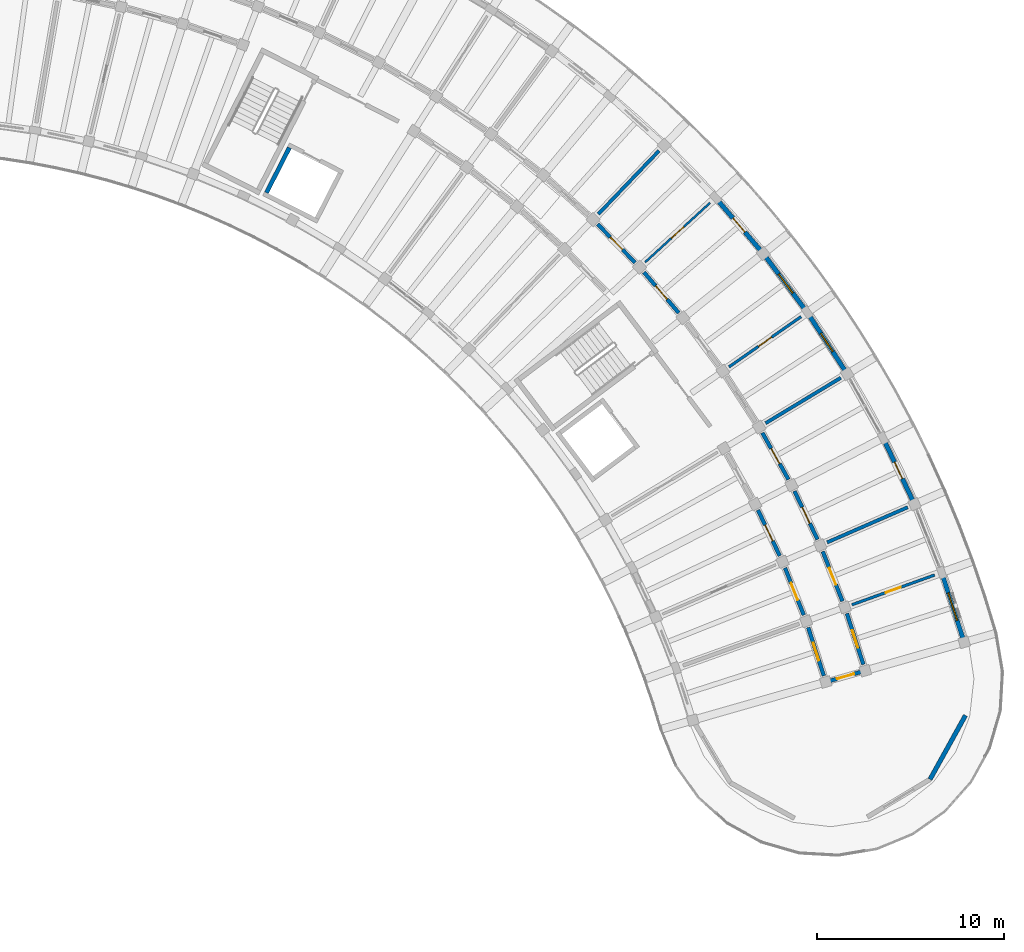
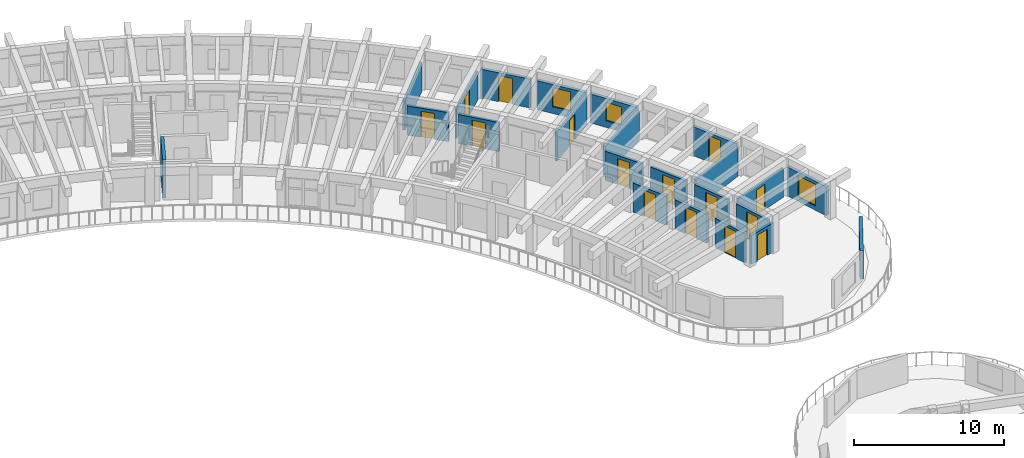
# One storey, part 71 of 96: 23 walls, 15 doors, 3 windows, 18 openings.
"""IFC4 building model written with IfcOpenShell, lengths in metres."""

from ifc_helpers import new_model, si_unit, direction, frame, frame_2d, origin, place, context, subcontext, project, spatial, rectangle, extrude, material, layer, layer_set, type_object, element, fill, save


model = new_model("IFC4")

# Units and contexts
model_context = context("Model", 3, precision=1e-05, world=origin(), true_north=direction((0.0, 1.0)))
body_context = subcontext(model_context, "Body", "Model", "MODEL_VIEW")
ifc_project = project(units=[si_unit("LENGTHUNIT", "METRE"), si_unit("AREAUNIT", "SQUARE_METRE"), si_unit("VOLUMEUNIT", "CUBIC_METRE"), si_unit("PLANEANGLEUNIT", "RADIAN"), si_unit("MASSUNIT", "GRAM", prefix="KILO")], contexts=[model_context])

# Site, building, storey
site_placement = place(None, origin())
site = spatial("IfcSite", under=ifc_project, at=site_placement, CompositionType="ELEMENT")
building_placement = place(site_placement, origin())
building = spatial("IfcBuilding", under=site, at=building_placement, Name="Tanwirah Colonnade Gardens", CompositionType="ELEMENT")
storey_placement = place(building_placement, frame((0.0, 0.0, 12.199951171875)))
storey = spatial("IfcBuildingStorey", under=building, at=storey_placement, Name="L03", CompositionType="ELEMENT", Elevation=12.199951171875)

# Wall, opening, window
ifc_material_1 = material(Name="Limestone architectural precast concrete C40/50", Category="masonry")
ifc_layer_1 = layer(ifc_material_1, 0.239990234375)
ifc_layer_set_1 = layer_set([ifc_layer_1], Name="Limestone architectural precast concrete C40/50")
wall_type_1 = type_object("IfcWallType", Name="EW-PC240", PredefinedType="SOLIDWALL", material=ifc_layer_set_1)
wall_1_placement = place(storey_placement, frame((178.16796875, 76.847412109375, 0.0), z_axis=(0.0, 0.0, 1.0), x_axis=(-0.30720538788, 0.951643236543, 0.0)))
wall_1 = element("IfcWall", 1, at=wall_1_placement, inside=storey, type_object=wall_type_1, Name="Block B L03 OUT Precast Facade Wall 0", PredefinedType="SOLIDWALL", context=body_context, shape_type="SweptSolid", body=[
    extrude(rectangle(XDim=3.5205078125, YDim=0.239990234375, at=frame_2d((1.76025390625, 0.0))), origin(), (0.0, 0.0, 1.0), 2.35498046875),
])
opening_1_placement = place(wall_1_placement, frame((0.9853515625, 0.0, 0.35009765625)))
opening_1 = element("IfcOpeningElement", 2, at=opening_1_placement, cuts=wall_1, Name="Opening WIN-T09", PredefinedType="OPENING", context=body_context, shape_type="SweptSolid", body=[
    extrude(rectangle(XDim=1.550048828125, YDim=1.75, at=frame_2d((0.77490234375, 0.875))), frame((0.0, 0.1298828125, 0.0), z_axis=(0.0, -1.0, 0.0), x_axis=(1.0, 0.0, 0.0)), (0.0, 0.0, 1.0), 0.260009765625),
])
ifc_material_2 = material(Name="Thermally broken bronze aluminium and solar low-E double glazing", Category="aluminium")
window_type_1 = type_object("IfcWindowType", Name="WIN-T09", PartitioningType="DOUBLE_PANEL_VERTICAL", PredefinedType="WINDOW", material=ifc_material_2)
window_1_placement = place(opening_1_placement, origin())
window_1 = element("IfcWindow", 3, at=window_1_placement, inside=storey, type_object=window_type_1, Name="Facade window B-L03-OUT-00", OverallHeight=1.75, OverallWidth=1.550048828125, PartitioningType="SINGLE_PANEL", PredefinedType="WINDOW", context=body_context, shape_type="SweptSolid", body=[
    extrude(rectangle(XDim=1.550048828125, YDim=1.75, at=frame_2d((0.77490234375, 0.875))), frame((0.0, 0.030029296875, 0.0), z_axis=(0.0, -1.0, 0.0), x_axis=(1.0, 0.0, 0.0)), (0.0, 0.0, 1.0), 0.06005859375),
])
fill(opening_1, window_1)

# Wall, opening, door
wall_2_placement = place(storey_placement, frame((175.482666015625, 84.2197265625, 0.0), z_axis=(0.0, 0.0, 1.0), x_axis=(-0.429653621352, 0.902993779413, 0.0)))
wall_2 = element("IfcWall", 4, at=wall_2_placement, inside=storey, type_object=wall_type_1, Name="Block B L03 OUT Precast Facade Wall 2", PredefinedType="SOLIDWALL", context=body_context, shape_type="SweptSolid", body=[
    extrude(rectangle(XDim=3.520751953125, YDim=0.239990234375, at=frame_2d((1.76025390625, 0.0))), origin(), (0.0, 0.0, 1.0), 2.35498046875),
])
opening_2_placement = place(wall_2_placement, frame((1.2705078125, 0.0, 0.0)))
opening_2 = element("IfcOpeningElement", 5, at=opening_2_placement, cuts=wall_2, Name="Opening L03-ED080", PredefinedType="OPENING", context=body_context, shape_type="SweptSolid", body=[
    extrude(rectangle(XDim=0.97998046875, YDim=2.1201171875, at=frame_2d((0.489990234375, 1.06005859375))), frame((0.0, 0.1298828125, 0.0), z_axis=(0.0, -1.0, 0.0), x_axis=(1.0, 0.0, 0.0)), (0.0, 0.0, 1.0), 0.260009765625),
])
ifc_material_3 = material(Name="Bronze aluminium glazed balcony door", Category="aluminium")
door_type_1 = type_object("IfcDoorType", Name="ED-BAL098", OperationType="NOTDEFINED", PredefinedType="DOOR", material=ifc_material_3)
door_1_placement = place(opening_2_placement, origin())
door_1 = element("IfcDoor", 6, at=door_1_placement, inside=storey, type_object=door_type_1, Name="Balcony glazed door L03-ED080", OperationType="SINGLE_SWING_RIGHT", OverallHeight=2.1201171875, OverallWidth=0.97998046875, PredefinedType="DOOR", context=body_context, shape_type="SweptSolid", body=[
    extrude(rectangle(XDim=0.97998046875, YDim=2.1201171875, at=frame_2d((0.489990234375, 1.06005859375))), frame((0.0, 0.02490234375, 0.0), z_axis=(0.0, -1.0, 0.0), x_axis=(1.0, 0.0, 0.0)), (0.0, 0.0, 1.0), 0.050048828125),
])
fill(opening_2, door_1)

# Wall, opening, window
wall_3_placement = place(storey_placement, frame((171.851318359375, 91.1748046875, 0.0), z_axis=(0.0, 0.0, 1.0), x_axis=(-0.544610510414, 0.838689091349, 0.0)))
wall_3 = element("IfcWall", 7, at=wall_3_placement, inside=storey, type_object=wall_type_1, Name="Block B L03 OUT Precast Facade Wall 4", PredefinedType="SOLIDWALL", context=body_context, shape_type="SweptSolid", body=[
    extrude(rectangle(XDim=3.520751953125, YDim=0.239990234375, at=frame_2d((1.76025390625, 0.0))), origin(), (0.0, 0.0, 1.0), 2.35498046875),
])
opening_3_placement = place(wall_3_placement, frame((1.180419921875, 0.0, 0.550048828125)))
opening_3 = element("IfcOpeningElement", 8, at=opening_3_placement, cuts=wall_3, Name="Opening WIN-U01", PredefinedType="OPENING", context=body_context, shape_type="SweptSolid", body=[
    extrude(rectangle(XDim=1.159912109375, YDim=1.485107421875, at=frame_2d((0.580078125, 0.74267578125))), frame((0.0, 0.1298828125, 0.0), z_axis=(0.0, -1.0, 0.0), x_axis=(1.0, 0.0, 0.0)), (0.0, 0.0, 1.0), 0.260009765625),
])
window_type_2 = type_object("IfcWindowType", Name="WIN-U01", PartitioningType="DOUBLE_PANEL_VERTICAL", PredefinedType="WINDOW", material=ifc_material_2)
window_2_placement = place(opening_3_placement, origin())
window_2 = element("IfcWindow", 9, at=window_2_placement, inside=storey, type_object=window_type_2, Name="Facade window B-L03-OUT-04", OverallHeight=1.485107421875, OverallWidth=1.159912109375, PartitioningType="SINGLE_PANEL", PredefinedType="WINDOW", context=body_context, shape_type="SweptSolid", body=[
    extrude(rectangle(XDim=1.159912109375, YDim=1.485107421875, at=frame_2d((0.580078125, 0.74267578125))), frame((0.0, 0.030029296875, 0.0), z_axis=(0.0, -1.0, 0.0), x_axis=(1.0, 0.0, 0.0)), (0.0, 0.0, 1.0), 0.06005859375),
])
fill(opening_3, window_2)

wall_4_placement = place(storey_placement, frame((169.7509765625, 94.389892578125, 0.0), z_axis=(0.0, 0.0, 1.0), x_axis=(-0.598701122926, 0.800972512267, 0.0)))
wall_4 = element("IfcWall", 10, at=wall_4_placement, inside=storey, type_object=wall_type_1, Name="Block B L03 OUT Precast Facade Wall 5", PredefinedType="SOLIDWALL", context=body_context, shape_type="SweptSolid", body=[
    extrude(rectangle(XDim=3.520751953125, YDim=0.239990234375, at=frame_2d((1.76025390625, 0.0))), origin(), (0.0, 0.0, 1.0), 2.35498046875),
])
opening_4_placement = place(wall_4_placement, frame((1.120361328125, 0.0, 0.550048828125)))
opening_4 = element("IfcOpeningElement", 11, at=opening_4_placement, cuts=wall_4, Name="Opening WIN-U04", PredefinedType="OPENING", context=body_context, shape_type="SweptSolid", body=[
    extrude(rectangle(XDim=1.280029296875, YDim=1.56005859375, at=frame_2d((0.64013671875, 0.780029296875))), frame((0.0, 0.1298828125, 0.0), z_axis=(0.0, -1.0, 0.0), x_axis=(1.0, 0.0, 0.0)), (0.0, 0.0, 1.0), 0.260009765625),
])
window_type_3 = type_object("IfcWindowType", Name="WIN-U04", PartitioningType="DOUBLE_PANEL_VERTICAL", PredefinedType="WINDOW", material=ifc_material_2)
window_3_placement = place(opening_4_placement, origin())
window_3 = element("IfcWindow", 12, at=window_3_placement, inside=storey, type_object=window_type_3, Name="Facade window B-L03-OUT-05", OverallHeight=1.56005859375, OverallWidth=1.280029296875, PartitioningType="SINGLE_PANEL", PredefinedType="WINDOW", context=body_context, shape_type="SweptSolid", body=[
    extrude(rectangle(XDim=1.280029296875, YDim=1.56005859375, at=frame_2d((0.64013671875, 0.780029296875))), frame((0.0, 0.030029296875, 0.0), z_axis=(0.0, -1.0, 0.0), x_axis=(1.0, 0.0, 0.0)), (0.0, 0.0, 1.0), 0.06005859375),
])
fill(opening_4, window_3)

# Wall, opening, door
wall_5_placement = place(storey_placement, frame((167.3369140625, 97.59228515625, 0.0), z_axis=(0.0, 0.0, 1.0), x_axis=(-0.65016298181, 0.759794773004, 0.0)))
wall_5 = element("IfcWall", 13, at=wall_5_placement, inside=storey, type_object=wall_type_1, Name="Block B L03 OUT Precast Facade Wall 6", PredefinedType="SOLIDWALL", context=body_context, shape_type="SweptSolid", body=[
    extrude(rectangle(XDim=3.520751953125, YDim=0.239990234375, at=frame_2d((1.76025390625, 0.0))), origin(), (0.0, 0.0, 1.0), 2.35498046875),
])
opening_5_placement = place(wall_5_placement, frame((1.2705078125, 0.0, 0.0)))
opening_5 = element("IfcOpeningElement", 14, at=opening_5_placement, cuts=wall_5, Name="Opening L03-ED082", PredefinedType="OPENING", context=body_context, shape_type="SweptSolid", body=[
    extrude(rectangle(XDim=0.97998046875, YDim=2.1201171875, at=frame_2d((0.489990234375, 1.06005859375))), frame((0.0, 0.1298828125, 0.0), z_axis=(0.0, -1.0, 0.0), x_axis=(1.0, 0.0, 0.0)), (0.0, 0.0, 1.0), 0.260009765625),
])
door_2_placement = place(opening_5_placement, origin())
door_2 = element("IfcDoor", 15, at=door_2_placement, inside=storey, type_object=door_type_1, Name="Balcony glazed door L03-ED082", OperationType="SINGLE_SWING_RIGHT", OverallHeight=2.1201171875, OverallWidth=0.97998046875, PredefinedType="DOOR", context=body_context, shape_type="SweptSolid", body=[
    extrude(rectangle(XDim=0.97998046875, YDim=2.1201171875, at=frame_2d((0.489990234375, 1.06005859375))), frame((0.0, 0.02490234375, 0.0), z_axis=(0.0, -1.0, 0.0), x_axis=(1.0, 0.0, 0.0)), (0.0, 0.0, 1.0), 0.050048828125),
])
fill(opening_5, door_2)

# Wall
wall_6_placement = place(storey_placement, frame((178.311279296875, 72.70654296875, 0.0), z_axis=(0.0, 0.0, 1.0), x_axis=(-0.484841794757, -0.874601871743, 0.0)))
element("IfcWall", 16, at=wall_6_placement, inside=storey, type_object=wall_type_1, Name="Block B L03 START Rounded End Wall 1", PredefinedType="SOLIDWALL", context=body_context, shape_type="SweptSolid", body=[
    extrude(rectangle(XDim=3.907958984375, YDim=0.239990234375, at=frame_2d((1.9541015625, 0.0))), origin(), (0.0, 0.0, 1.0), 2.35498046875),
])

# Wall, opening, door
ifc_material_4 = material(Name="Precast concrete C40/50", Category="concrete")
ifc_layer_2 = layer(ifc_material_4, 0.205078125)
ifc_layer_set_2 = layer_set([ifc_layer_2], Name="Precast concrete C40/50")
wall_type_2 = type_object("IfcWallType", Name="IW-CORR205", PredefinedType="PARTITIONING", material=ifc_layer_set_2)
wall_7_placement = place(storey_placement, frame((172.8486328125, 75.431396484375, 0.0), z_axis=(0.0, 0.0, 1.0), x_axis=(-0.307157249761, 0.951658774939, 0.0)))
wall_7 = element("IfcWall", 17, at=wall_7_placement, inside=storey, type_object=wall_type_2, Name="Block B L03 OUT Corridor Wall 0", PredefinedType="PARTITIONING", context=body_context, shape_type="SweptSolid", body=[
    extrude(rectangle(XDim=2.863037109375, YDim=0.205078125, at=frame_2d((1.431640625, 0.0))), origin(), (0.0, 0.0, 1.0), 2.3701171875),
])
opening_6_placement = place(wall_7_placement, frame((0.9365234375, 0.0, 0.0)))
opening_6 = element("IfcOpeningElement", 18, at=opening_6_placement, cuts=wall_7, Name="Opening L03-AD917", PredefinedType="OPENING", context=body_context, shape_type="SweptSolid", body=[
    extrude(rectangle(XDim=0.989990234375, YDim=2.159912109375, at=frame_2d((0.4951171875, 1.080078125))), frame((0.0, 0.112548828125, 0.0), z_axis=(0.0, -1.0, 0.0), x_axis=(1.0, 0.0, 0.0)), (0.0, 0.0, 1.0), 0.22509765625),
])
ifc_material_5 = material(Name="Solid oak fire-resisting apartment entrance door")
door_type_2 = type_object("IfcDoorType", Name="ID-FLT099", OperationType="NOTDEFINED", PredefinedType="DOOR", material=ifc_material_5)
door_3_placement = place(opening_6_placement, origin())
door_3 = element("IfcDoor", 19, at=door_3_placement, inside=storey, type_object=door_type_2, Name="Apartment corridor door L03-AD917", OperationType="SINGLE_SWING_RIGHT", OverallHeight=2.159912109375, OverallWidth=0.989990234375, PredefinedType="DOOR", context=body_context, shape_type="SweptSolid", body=[
    extrude(rectangle(XDim=0.989990234375, YDim=2.159912109375, at=frame_2d((0.4951171875, 1.080078125))), frame((0.0, 0.02490234375, 0.0), z_axis=(0.0, -1.0, 0.0), x_axis=(1.0, 0.0, 0.0)), (0.0, 0.0, 1.0), 0.050048828125),
])
fill(opening_6, door_3)

wall_8_placement = place(storey_placement, frame((170.73388671875, 74.824951171875, 0.0), z_axis=(0.0, 0.0, 1.0), x_axis=(-0.307186478934, 0.95164934044, 0.0)))
wall_8 = element("IfcWall", 20, at=wall_8_placement, inside=storey, type_object=wall_type_2, Name="Block B L03 IN Corridor Wall 0", PredefinedType="PARTITIONING", context=body_context, shape_type="SweptSolid", body=[
    extrude(rectangle(XDim=2.718017578125, YDim=0.205078125, at=frame_2d((1.35888671875, 0.0))), origin(), (0.0, 0.0, 1.0), 2.3701171875),
])
opening_7_placement = place(wall_8_placement, frame((0.864013671875, 0.0, 0.0)))
opening_7 = element("IfcOpeningElement", 21, at=opening_7_placement, cuts=wall_8, Name="Opening L03-AD918", PredefinedType="OPENING", context=body_context, shape_type="SweptSolid", body=[
    extrude(rectangle(XDim=0.989990234375, YDim=2.159912109375, at=frame_2d((0.4951171875, 1.080078125))), frame((0.0, 0.112548828125, 0.0), z_axis=(0.0, -1.0, 0.0), x_axis=(1.0, 0.0, 0.0)), (0.0, 0.0, 1.0), 0.22509765625),
])
door_4_placement = place(opening_7_placement, origin())
door_4 = element("IfcDoor", 22, at=door_4_placement, inside=storey, type_object=door_type_2, Name="Apartment corridor door L03-AD918", OperationType="SINGLE_SWING_LEFT", OverallHeight=2.159912109375, OverallWidth=0.989990234375, PredefinedType="DOOR", context=body_context, shape_type="SweptSolid", body=[
    extrude(rectangle(XDim=0.989990234375, YDim=2.159912109375, at=frame_2d((0.4951171875, 1.080078125))), frame((0.0, 0.02490234375, 0.0), z_axis=(0.0, -1.0, 0.0), x_axis=(1.0, 0.0, 0.0)), (0.0, 0.0, 1.0), 0.050048828125),
])
fill(opening_7, door_4)

wall_9_placement = place(storey_placement, frame((171.732421875, 78.814208984375, 0.0), z_axis=(0.0, 0.0, 1.0), x_axis=(-0.369213832442, 0.929344471083, 0.0)))
wall_9 = element("IfcWall", 23, at=wall_9_placement, inside=storey, type_object=wall_type_2, Name="Block B L03 OUT Corridor Wall 1", PredefinedType="PARTITIONING", context=body_context, shape_type="SweptSolid", body=[
    extrude(rectangle(XDim=2.86328125, YDim=0.205078125, at=frame_2d((1.431640625, 0.0))), origin(), (0.0, 0.0, 1.0), 2.3701171875),
])
opening_8_placement = place(wall_9_placement, frame((0.946533203125, 0.0, 0.0)))
opening_8 = element("IfcOpeningElement", 24, at=opening_8_placement, cuts=wall_9, Name="Opening L03-AD920", PredefinedType="OPENING", context=body_context, shape_type="SweptSolid", body=[
    extrude(rectangle(XDim=0.969970703125, YDim=2.14990234375, at=frame_2d((0.48486328125, 1.074951171875))), frame((0.0, 0.112548828125, 0.0), z_axis=(0.0, -1.0, 0.0), x_axis=(1.0, 0.0, 0.0)), (0.0, 0.0, 1.0), 0.22509765625),
])
door_type_3 = type_object("IfcDoorType", Name="ID-FLT097", OperationType="NOTDEFINED", PredefinedType="DOOR", material=ifc_material_5)
door_5_placement = place(opening_8_placement, origin())
door_5 = element("IfcDoor", 25, at=door_5_placement, inside=storey, type_object=door_type_3, Name="Apartment corridor door L03-AD920", OperationType="SINGLE_SWING_LEFT", OverallHeight=2.14990234375, OverallWidth=0.969970703125, PredefinedType="DOOR", context=body_context, shape_type="SweptSolid", body=[
    extrude(rectangle(XDim=0.969970703125, YDim=2.14990234375, at=frame_2d((0.48486328125, 1.074951171875))), frame((0.0, 0.02490234375, 0.0), z_axis=(0.0, -1.0, 0.0), x_axis=(1.0, 0.0, 0.0)), (0.0, 0.0, 1.0), 0.050048828125),
])
fill(opening_8, door_5)

wall_10_placement = place(storey_placement, frame((169.662353515625, 78.06982421875, 0.0), z_axis=(0.0, 0.0, 1.0), x_axis=(-0.369237170461, 0.929335198919, 0.0)))
wall_10 = element("IfcWall", 26, at=wall_10_placement, inside=storey, type_object=wall_type_2, Name="Block B L03 IN Corridor Wall 1", PredefinedType="PARTITIONING", context=body_context, shape_type="SweptSolid", body=[
    extrude(rectangle(XDim=2.71826171875, YDim=0.205078125, at=frame_2d((1.359130859375, 0.0))), origin(), (0.0, 0.0, 1.0), 2.3701171875),
])
opening_9_placement = place(wall_10_placement, frame((0.8740234375, 0.0, 0.0)))
opening_9 = element("IfcOpeningElement", 27, at=opening_9_placement, cuts=wall_10, Name="Opening L03-AD921", PredefinedType="OPENING", context=body_context, shape_type="SweptSolid", body=[
    extrude(rectangle(XDim=0.969970703125, YDim=2.14990234375, at=frame_2d((0.48486328125, 1.074951171875))), frame((0.0, 0.112548828125, 0.0), z_axis=(0.0, -1.0, 0.0), x_axis=(1.0, 0.0, 0.0)), (0.0, 0.0, 1.0), 0.22509765625),
])
door_6_placement = place(opening_9_placement, origin())
door_6 = element("IfcDoor", 28, at=door_6_placement, inside=storey, type_object=door_type_3, Name="Apartment corridor door L03-AD921", OperationType="SINGLE_SWING_RIGHT", OverallHeight=2.14990234375, OverallWidth=0.969970703125, PredefinedType="DOOR", context=body_context, shape_type="SweptSolid", body=[
    extrude(rectangle(XDim=0.969970703125, YDim=2.14990234375, at=frame_2d((0.48486328125, 1.074951171875))), frame((0.0, 0.02490234375, 0.0), z_axis=(0.0, -1.0, 0.0), x_axis=(1.0, 0.0, 0.0)), (0.0, 0.0, 1.0), 0.050048828125),
])
fill(opening_9, door_6)

wall_11_placement = place(storey_placement, frame((170.395751953125, 82.116455078125, 0.0), z_axis=(0.0, 0.0, 1.0), x_axis=(-0.429595933416, 0.90302122566, 0.0)))
wall_11 = element("IfcWall", 29, at=wall_11_placement, inside=storey, type_object=wall_type_2, Name="Block B L03 OUT Corridor Wall 2", PredefinedType="PARTITIONING", context=body_context, shape_type="SweptSolid", body=[
    extrude(rectangle(XDim=2.863037109375, YDim=0.205078125, at=frame_2d((1.431640625, 0.0))), origin(), (0.0, 0.0, 1.0), 2.3701171875),
])
opening_10_placement = place(wall_11_placement, frame((0.95654296875, 0.0, 0.0)))
opening_10 = element("IfcOpeningElement", 30, at=opening_10_placement, cuts=wall_11, Name="Opening L03-AD923", PredefinedType="OPENING", context=body_context, shape_type="SweptSolid", body=[
    extrude(rectangle(XDim=0.949951171875, YDim=2.1298828125, at=frame_2d((0.47509765625, 1.06494140625))), frame((0.0, 0.112548828125, 0.0), z_axis=(0.0, -1.0, 0.0), x_axis=(1.0, 0.0, 0.0)), (0.0, 0.0, 1.0), 0.22509765625),
])
door_type_4 = type_object("IfcDoorType", Name="ID-FLT095", OperationType="NOTDEFINED", PredefinedType="DOOR", material=ifc_material_5)
door_7_placement = place(opening_10_placement, origin())
door_7 = element("IfcDoor", 31, at=door_7_placement, inside=storey, type_object=door_type_4, Name="Apartment corridor door L03-AD923", OperationType="SINGLE_SWING_RIGHT", OverallHeight=2.1298828125, OverallWidth=0.949951171875, PredefinedType="DOOR", context=body_context, shape_type="SweptSolid", body=[
    extrude(rectangle(XDim=0.949951171875, YDim=2.1298828125, at=frame_2d((0.47509765625, 1.06494140625))), frame((0.0, 0.02490234375, 0.0), z_axis=(0.0, -1.0, 0.0), x_axis=(1.0, 0.0, 0.0)), (0.0, 0.0, 1.0), 0.050048828125),
])
fill(opening_10, door_7)

wall_12_placement = place(storey_placement, frame((168.379150390625, 81.2373046875, 0.0), z_axis=(0.0, 0.0, 1.0), x_axis=(-0.429630211913, 0.90300491749, 0.0)))
wall_12 = element("IfcWall", 32, at=wall_12_placement, inside=storey, type_object=wall_type_2, Name="Block B L03 IN Corridor Wall 2", PredefinedType="PARTITIONING", context=body_context, shape_type="SweptSolid", body=[
    extrude(rectangle(XDim=2.718017578125, YDim=0.205078125, at=frame_2d((1.35888671875, 0.0))), origin(), (0.0, 0.0, 1.0), 2.3701171875),
])
opening_11_placement = place(wall_12_placement, frame((0.884033203125, 0.0, 0.0)))
opening_11 = element("IfcOpeningElement", 33, at=opening_11_placement, cuts=wall_12, Name="Opening L03-AD924", PredefinedType="OPENING", context=body_context, shape_type="SweptSolid", body=[
    extrude(rectangle(XDim=0.949951171875, YDim=2.1298828125, at=frame_2d((0.47509765625, 1.06494140625))), frame((0.0, 0.112548828125, 0.0), z_axis=(0.0, -1.0, 0.0), x_axis=(1.0, 0.0, 0.0)), (0.0, 0.0, 1.0), 0.22509765625),
])
door_8_placement = place(opening_11_placement, origin())
door_8 = element("IfcDoor", 34, at=door_8_placement, inside=storey, type_object=door_type_4, Name="Apartment corridor door L03-AD924", OperationType="SINGLE_SWING_LEFT", OverallHeight=2.1298828125, OverallWidth=0.949951171875, PredefinedType="DOOR", context=body_context, shape_type="SweptSolid", body=[
    extrude(rectangle(XDim=0.949951171875, YDim=2.1298828125, at=frame_2d((0.47509765625, 1.06494140625))), frame((0.0, 0.02490234375, 0.0), z_axis=(0.0, -1.0, 0.0), x_axis=(1.0, 0.0, 0.0)), (0.0, 0.0, 1.0), 0.050048828125),
])
fill(opening_11, door_8)

wall_13_placement = place(storey_placement, frame((168.844482421875, 85.323486328125, 0.0), z_axis=(0.0, 0.0, 1.0), x_axis=(-0.48817487918, 0.872745832037, 0.0)))
wall_13 = element("IfcWall", 35, at=wall_13_placement, inside=storey, type_object=wall_type_2, Name="Block B L03 OUT Corridor Wall 3", PredefinedType="PARTITIONING", context=body_context, shape_type="SweptSolid", body=[
    extrude(rectangle(XDim=2.863037109375, YDim=0.205078125, at=frame_2d((1.431640625, 0.0))), origin(), (0.0, 0.0, 1.0), 2.3701171875),
])
opening_12_placement = place(wall_13_placement, frame((0.966552734375, 0.0, 0.0)))
opening_12 = element("IfcOpeningElement", 36, at=opening_12_placement, cuts=wall_13, Name="Opening L03-AD925", PredefinedType="OPENING", context=body_context, shape_type="SweptSolid", body=[
    extrude(rectangle(XDim=0.929931640625, YDim=2.1201171875, at=frame_2d((0.46484375, 1.06005859375))), frame((0.0, 0.112548828125, 0.0), z_axis=(0.0, -1.0, 0.0), x_axis=(1.0, 0.0, 0.0)), (0.0, 0.0, 1.0), 0.22509765625),
])
door_type_5 = type_object("IfcDoorType", Name="ID-FLT093", OperationType="NOTDEFINED", PredefinedType="DOOR", material=ifc_material_5)
door_9_placement = place(opening_12_placement, origin())
door_9 = element("IfcDoor", 37, at=door_9_placement, inside=storey, type_object=door_type_5, Name="Apartment corridor door L03-AD925", OperationType="SINGLE_SWING_LEFT", OverallHeight=2.1201171875, OverallWidth=0.929931640625, PredefinedType="DOOR", context=body_context, shape_type="SweptSolid", body=[
    extrude(rectangle(XDim=0.929931640625, YDim=2.1201171875, at=frame_2d((0.46484375, 1.06005859375))), frame((0.0, 0.02490234375, 0.0), z_axis=(0.0, -1.0, 0.0), x_axis=(1.0, 0.0, 0.0)), (0.0, 0.0, 1.0), 0.050048828125),
])
fill(opening_12, door_9)

wall_14_placement = place(storey_placement, frame((162.974365234375, 94.23583984375, 0.0), z_axis=(0.0, 0.0, 1.0), x_axis=(-0.650194272684, 0.759767996015, 0.0)))
wall_14 = element("IfcWall", 38, at=wall_14_placement, inside=storey, type_object=wall_type_2, Name="Block B L03 OUT Corridor Wall 6", PredefinedType="PARTITIONING", context=body_context, shape_type="SweptSolid", body=[
    extrude(rectangle(XDim=2.863037109375, YDim=0.205078125, at=frame_2d((1.431640625, 0.0))), origin(), (0.0, 0.0, 1.0), 2.3701171875),
])
opening_13_placement = place(wall_14_placement, frame((0.95654296875, 0.0, 0.0)))
opening_13 = element("IfcOpeningElement", 39, at=opening_13_placement, cuts=wall_14, Name="Opening L03-AD931", PredefinedType="OPENING", context=body_context, shape_type="SweptSolid", body=[
    extrude(rectangle(XDim=0.949951171875, YDim=2.1298828125, at=frame_2d((0.47509765625, 1.06494140625))), frame((0.0, 0.112548828125, 0.0), z_axis=(0.0, -1.0, 0.0), x_axis=(1.0, 0.0, 0.0)), (0.0, 0.0, 1.0), 0.22509765625),
])
door_10_placement = place(opening_13_placement, origin())
door_10 = element("IfcDoor", 40, at=door_10_placement, inside=storey, type_object=door_type_4, Name="Apartment corridor door L03-AD931", OperationType="SINGLE_SWING_RIGHT", OverallHeight=2.1298828125, OverallWidth=0.949951171875, PredefinedType="DOOR", context=body_context, shape_type="SweptSolid", body=[
    extrude(rectangle(XDim=0.949951171875, YDim=2.1298828125, at=frame_2d((0.47509765625, 1.06494140625))), frame((0.0, 0.02490234375, 0.0), z_axis=(0.0, -1.0, 0.0), x_axis=(1.0, 0.0, 0.0)), (0.0, 0.0, 1.0), 0.050048828125),
])
fill(opening_13, door_10)

wall_15_placement = place(storey_placement, frame((160.640625, 96.92724609375, 0.0), z_axis=(0.0, 0.0, 1.0), x_axis=(-0.698787219683, 0.715329589496, 0.0)))
wall_15 = element("IfcWall", 41, at=wall_15_placement, inside=storey, type_object=wall_type_2, Name="Block B L03 OUT Corridor Wall 7", PredefinedType="PARTITIONING", context=body_context, shape_type="SweptSolid", body=[
    extrude(rectangle(XDim=2.863037109375, YDim=0.205078125, at=frame_2d((1.431640625, 0.0))), origin(), (0.0, 0.0, 1.0), 2.3701171875),
])
opening_14_placement = place(wall_15_placement, frame((0.966552734375, 0.0, 0.0)))
opening_14 = element("IfcOpeningElement", 42, at=opening_14_placement, cuts=wall_15, Name="Opening L03-AD933", PredefinedType="OPENING", context=body_context, shape_type="SweptSolid", body=[
    extrude(rectangle(XDim=0.929931640625, YDim=2.1201171875, at=frame_2d((0.46484375, 1.06005859375))), frame((0.0, 0.112548828125, 0.0), z_axis=(0.0, -1.0, 0.0), x_axis=(1.0, 0.0, 0.0)), (0.0, 0.0, 1.0), 0.22509765625),
])
door_11_placement = place(opening_14_placement, origin())
door_11 = element("IfcDoor", 43, at=door_11_placement, inside=storey, type_object=door_type_5, Name="Apartment corridor door L03-AD933", OperationType="SINGLE_SWING_LEFT", OverallHeight=2.1201171875, OverallWidth=0.929931640625, PredefinedType="DOOR", context=body_context, shape_type="SweptSolid", body=[
    extrude(rectangle(XDim=0.929931640625, YDim=2.1201171875, at=frame_2d((0.46484375, 1.06005859375))), frame((0.0, 0.02490234375, 0.0), z_axis=(0.0, -1.0, 0.0), x_axis=(1.0, 0.0, 0.0)), (0.0, 0.0, 1.0), 0.050048828125),
])
fill(opening_14, door_11)

wall_16_placement = place(storey_placement, frame((170.889404296875, 74.505615234375, 0.0), z_axis=(0.0, 0.0, 1.0), x_axis=(0.961264701934, 0.275626872449, 0.0)))
wall_16 = element("IfcWall", 44, at=wall_16_placement, inside=storey, type_object=wall_type_2, Name="Block B L03 CS Corner Suite Corridor Wall", PredefinedType="PARTITIONING", context=body_context, shape_type="SweptSolid", body=[
    extrude(rectangle(XDim=2.10009765625, YDim=0.205078125, at=frame_2d((1.050048828125, 0.0))), origin(), (0.0, 0.0, 1.0), 2.3701171875),
])
opening_15_placement = place(wall_16_placement, frame((0.570068359375, 0.0, 0.0)))
opening_15 = element("IfcOpeningElement", 45, at=opening_15_placement, cuts=wall_16, Name="Opening L03-CD958", PredefinedType="OPENING", context=body_context, shape_type="SweptSolid", body=[
    extrude(rectangle(XDim=0.949951171875, YDim=2.1298828125, at=frame_2d((0.47509765625, 1.06494140625))), frame((0.0, 0.112548828125, 0.0), z_axis=(0.0, -1.0, 0.0), x_axis=(1.0, 0.0, 0.0)), (0.0, 0.0, 1.0), 0.22509765625),
])
door_12_placement = place(opening_15_placement, origin())
door_12 = element("IfcDoor", 46, at=door_12_placement, inside=storey, type_object=door_type_4, Name="Corner suite entrance door L03-CD958", OperationType="SINGLE_SWING_LEFT", OverallHeight=2.1298828125, OverallWidth=0.949951171875, PredefinedType="DOOR", context=body_context, shape_type="SweptSolid", body=[
    extrude(rectangle(XDim=0.949951171875, YDim=2.1298828125, at=frame_2d((0.47509765625, 1.06494140625))), frame((0.0, 0.02490234375, 0.0), z_axis=(0.0, -1.0, 0.0), x_axis=(1.0, 0.0, 0.0)), (0.0, 0.0, 1.0), 0.050048828125),
])
fill(opening_15, door_12)

# Walls
ifc_layer_3 = layer(ifc_material_4, 0.18505859375)
ifc_layer_set_3 = layer_set([ifc_layer_3], Name="Precast concrete C40/50")
wall_type_3 = type_object("IfcWallType", Name="IW-DEM185", PredefinedType="PARTITIONING", material=ifc_layer_set_3)
for number, where, z_axis, x_axis, name in (
    (47, (170.912841796875, 81.960205078125, 0.0), (0.0, 0.0, 1.0), (0.916663273961, 0.39966040856, 0.0), "Block B L03 Radial Partition 1"),
    (48, (167.618408203125, 88.334228515625, 0.0), (0.0, 0.0, 1.0), (0.856165473929, 0.516701733356, 0.0), "Block B L03 Radial Partition 3"),
    (49, (158.671875, 99.514404296875, 0.0), (0.0, 0.0, 1.0), (0.691855720025, 0.722035776585, 0.0), "Block B L03 Radial Partition 7"),
):
    element("IfcWall", number, at=place(storey_placement, frame(where, z_axis=z_axis, x_axis=x_axis)), inside=storey, type_object=wall_type_3, Name=name, PredefinedType="PARTITIONING", context=body_context, shape_type="SweptSolid", body=[
        extrude(rectangle(XDim=4.699951171875, YDim=0.18505859375, at=frame_2d((2.35009765625, 0.0))), origin(), (0.0, 0.0, 1.0), 2.3701171875),
    ])

# Wall, opening, door
ifc_material_6 = material(Name="Acoustic gypsum stud partition")
ifc_layer_4 = layer(ifc_material_6, 0.114990234375)
ifc_layer_set_4 = layer_set([ifc_layer_4], Name="Acoustic gypsum stud partition")
wall_type_4 = type_object("IfcWallType", Name="IW-INT115", PredefinedType="PARTITIONING", material=ifc_layer_set_4)
wall_17_placement = place(storey_placement, frame((161.180419921875, 96.947021484375, 0.0), z_axis=(0.0, 0.0, 1.0), x_axis=(0.737934199263, 0.674872667663, 0.0)))
wall_17 = element("IfcWall", 50, at=wall_17_placement, inside=storey, type_object=wall_type_4, Name="Block B L03 Radial Partition 6", PredefinedType="PARTITIONING", context=body_context, shape_type="SweptSolid", body=[
    extrude(rectangle(XDim=4.699951171875, YDim=0.114990234375, at=frame_2d((2.35009765625, 0.0))), origin(), (0.0, 0.0, 1.0), 2.3701171875),
])
opening_16_placement = place(wall_17_placement, frame((1.89501953125, 0.0, 0.0)))
opening_16 = element("IfcOpeningElement", 51, at=opening_16_placement, cuts=wall_17, Name="Opening L03-RD932", PredefinedType="OPENING", context=body_context, shape_type="SweptSolid", body=[
    extrude(rectangle(XDim=0.909912109375, YDim=2.10009765625, at=frame_2d((0.455078125, 1.050048828125))), frame((0.0, 0.0673828125, 0.0), z_axis=(0.0, -1.0, 0.0), x_axis=(1.0, 0.0, 0.0)), (0.0, 0.0, 1.0), 0.135009765625),
])
ifc_material_7 = material(Name="Painted hardwood internal room door", Category="wood")
door_type_6 = type_object("IfcDoorType", Name="ID-RM091", OperationType="NOTDEFINED", PredefinedType="DOOR", material=ifc_material_7)
door_13_placement = place(opening_16_placement, origin())
door_13 = element("IfcDoor", 52, at=door_13_placement, inside=storey, type_object=door_type_6, Name="Internal apartment door L03-RD932", OperationType="SINGLE_SWING_RIGHT", OverallHeight=2.10009765625, OverallWidth=0.909912109375, PredefinedType="DOOR", context=body_context, shape_type="SweptSolid", body=[
    extrude(rectangle(XDim=0.909912109375, YDim=2.10009765625, at=frame_2d((0.455078125, 1.050048828125))), frame((0.0, 0.02490234375, 0.0), z_axis=(0.0, -1.0, 0.0), x_axis=(1.0, 0.0, 0.0)), (0.0, 0.0, 1.0), 0.050048828125),
])
fill(opening_16, door_13)

ifc_material_8 = material(Name="Water-resistant acoustic plumbing partition")
ifc_layer_5 = layer(ifc_material_8, 0.14990234375)
ifc_layer_set_5 = layer_set([ifc_layer_5], Name="Water-resistant acoustic plumbing partition")
wall_type_5 = type_object("IfcWallType", Name="IW-WET150", PredefinedType="PLUMBINGWALL", material=ifc_layer_set_5)
wall_18_placement = place(storey_placement, frame((172.238037109375, 78.62451171875, 0.0), z_axis=(0.0, 0.0, 1.0), x_axis=(0.941015806044, 0.338362605463, 0.0)))
wall_18 = element("IfcWall", 53, at=wall_18_placement, inside=storey, type_object=wall_type_5, Name="Block B L03 Radial Partition 0", PredefinedType="PLUMBINGWALL", context=body_context, shape_type="SweptSolid", body=[
    extrude(rectangle(XDim=4.7001953125, YDim=0.14990234375, at=frame_2d((2.35009765625, 0.0))), origin(), (0.0, 0.0, 1.0), 2.3701171875),
])
opening_17_placement = place(wall_18_placement, frame((1.919921875, 0.0, 0.0)))
opening_17 = element("IfcOpeningElement", 54, at=opening_17_placement, cuts=wall_18, Name="Opening L03-RD919", PredefinedType="OPENING", context=body_context, shape_type="SweptSolid", body=[
    extrude(rectangle(XDim=0.860107421875, YDim=2.06005859375, at=frame_2d((0.43017578125, 1.030029296875))), frame((0.0, 0.0849609375, 0.0), z_axis=(0.0, -1.0, 0.0), x_axis=(1.0, 0.0, 0.0)), (0.0, 0.0, 1.0), 0.169921875),
])
ifc_material_9 = material(Name="Moisture-resistant bathroom door")
door_type_7 = type_object("IfcDoorType", Name="ID-WET086", OperationType="NOTDEFINED", PredefinedType="DOOR", material=ifc_material_9)
door_14_placement = place(opening_17_placement, origin())
door_14 = element("IfcDoor", 55, at=door_14_placement, inside=storey, type_object=door_type_7, Name="Internal apartment door L03-RD919", OperationType="SINGLE_SWING_RIGHT", OverallHeight=2.06005859375, OverallWidth=0.860107421875, PredefinedType="DOOR", context=body_context, shape_type="SweptSolid", body=[
    extrude(rectangle(XDim=0.860107421875, YDim=2.06005859375, at=frame_2d((0.43017578125, 1.030029296875))), frame((0.0, 0.02490234375, 0.0), z_axis=(0.0, -1.0, 0.0), x_axis=(1.0, 0.0, 0.0)), (0.0, 0.0, 1.0), 0.050048828125),
])
fill(opening_17, door_14)

wall_19_placement = place(storey_placement, frame((165.663330078125, 91.3447265625, 0.0), z_axis=(0.0, 0.0, 1.0), x_axis=(0.820272617205, 0.571972755876, 0.0)))
wall_19 = element("IfcWall", 56, at=wall_19_placement, inside=storey, type_object=wall_type_5, Name="Block B L03 Radial Partition 4", PredefinedType="PLUMBINGWALL", context=body_context, shape_type="SweptSolid", body=[
    extrude(rectangle(XDim=4.699951171875, YDim=0.14990234375, at=frame_2d((2.35009765625, 0.0))), origin(), (0.0, 0.0, 1.0), 2.3701171875),
])
opening_18_placement = place(wall_19_placement, frame((1.919921875, 0.0, 0.0)))
opening_18 = element("IfcOpeningElement", 57, at=opening_18_placement, cuts=wall_19, Name="Opening L03-RD929", PredefinedType="OPENING", context=body_context, shape_type="SweptSolid", body=[
    extrude(rectangle(XDim=0.860107421875, YDim=2.06005859375, at=frame_2d((0.43017578125, 1.030029296875))), frame((0.0, 0.0849609375, 0.0), z_axis=(0.0, -1.0, 0.0), x_axis=(1.0, 0.0, 0.0)), (0.0, 0.0, 1.0), 0.169921875),
])
door_15_placement = place(opening_18_placement, origin())
door_15 = element("IfcDoor", 58, at=door_15_placement, inside=storey, type_object=door_type_7, Name="Internal apartment door L03-RD929", OperationType="SINGLE_SWING_RIGHT", OverallHeight=2.06005859375, OverallWidth=0.860107421875, PredefinedType="DOOR", context=body_context, shape_type="SweptSolid", body=[
    extrude(rectangle(XDim=0.860107421875, YDim=2.06005859375, at=frame_2d((0.43017578125, 1.030029296875))), frame((0.0, 0.02490234375, 0.0), z_axis=(0.0, -1.0, 0.0), x_axis=(1.0, 0.0, 0.0)), (0.0, 0.0, 1.0), 0.050048828125),
])
fill(opening_18, door_15)

# Wall
ifc_material_10 = material(Name="Concrete C45/55", Category="concrete")
ifc_layer_6 = layer(ifc_material_10, 0.22998046875)
ifc_layer_set_6 = layer_set([ifc_layer_6], Name="Concrete C45/55")
wall_type_6 = type_object("IfcWallType", Name="SW-LIFT230", PredefinedType="SHEAR", material=ifc_layer_set_6)
wall_20_placement = place(storey_placement, frame((142.15283203125, 103.0693359375, 0.0), z_axis=(0.0, 0.0, 1.0), x_axis=(-0.454000278178, -0.891001541758, 0.0)))
element("IfcWall", 59, at=wall_20_placement, inside=storey, type_object=wall_type_6, Name="CORE-B2 L03 Lift Shaft Wall SIDEA", PredefinedType="SHEAR", context=body_context, shape_type="SweptSolid", body=[
    extrude(rectangle(XDim=2.699951171875, YDim=0.22998046875, at=frame_2d((1.35009765625, 0.0))), origin(), (0.0, 0.0, 1.0), 3.110107421875),
])

save(model, "model.ifc")
